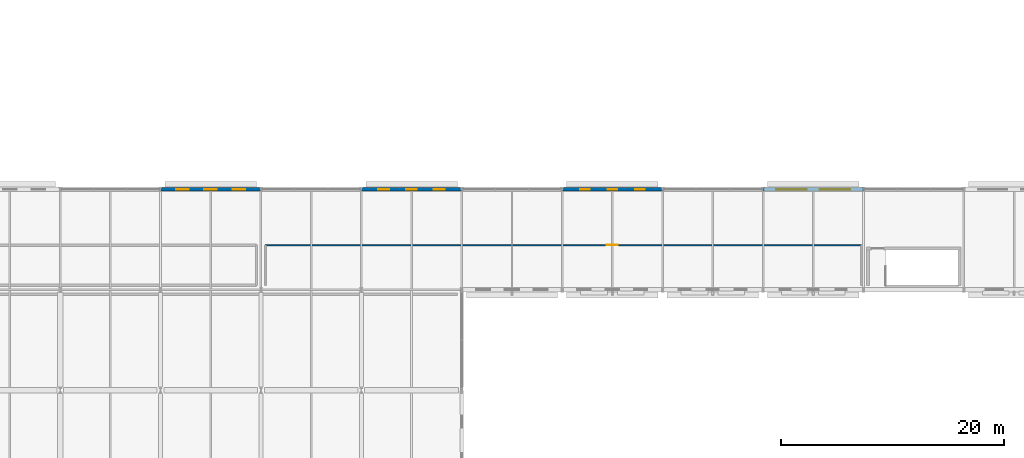
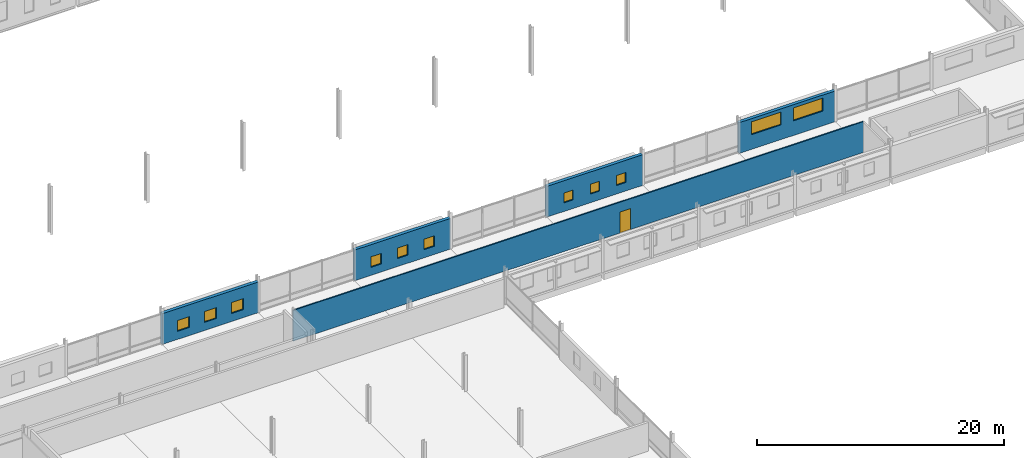
# One storey, part 109 of 132: 11 windows, 5 walls, 1 door, 12 openings.
"""IFC4 building model written with IfcOpenShell, lengths in metres."""

from ifc_helpers import new_model, si_unit, direction, frame, frame_2d, origin, place, context, subcontext, project, spatial, rectangle, extrude, material, layer, layer_set, type_object, element, fill, save


model = new_model("IFC4")

# Units and contexts
model_context = context("Model", 3, precision=1e-05, world=origin(), true_north=direction((0.0, 1.0)))
body_context = subcontext(model_context, "Body", "Model", "MODEL_VIEW")
ifc_project = project(units=[si_unit("LENGTHUNIT", "METRE"), si_unit("AREAUNIT", "SQUARE_METRE"), si_unit("VOLUMEUNIT", "CUBIC_METRE"), si_unit("PLANEANGLEUNIT", "RADIAN"), si_unit("MASSUNIT", "GRAM", prefix="KILO")], contexts=[model_context])

# Site, building, storey
site_placement = place(None, origin())
site = spatial("IfcSite", under=ifc_project, at=site_placement, CompositionType="ELEMENT")
building_placement = place(site_placement, origin())
building = spatial("IfcBuilding", under=site, at=building_placement, Name="Tharagai Park Tramway Depot", CompositionType="ELEMENT")
storey_placement = place(building_placement, frame((0.0, 0.0, 4.800048828125)))
storey = spatial("IfcBuildingStorey", under=building, at=storey_placement, Name="L01", CompositionType="ELEMENT", Elevation=4.800048828125)

# Wall, openings, windows
ifc_material_1 = material(Name="Pressed clay brick", Category="masonry")
ifc_layer_1 = layer(ifc_material_1, 0.300048828125)
ifc_layer_set_1 = layer_set([ifc_layer_1], Name="Pressed clay brick")
wall_type_1 = type_object("IfcWallType", Name="EW-08", PredefinedType="SOLIDWALL", material=ifc_layer_set_1)
wall_1_placement = place(storey_placement, frame((63.00390625, 99.0, 0.0), z_axis=(0.0, 0.0, 1.0), x_axis=(1.0, 0.0, 0.0)))
wall_1 = element("IfcWall", 1, at=wall_1_placement, inside=storey, type_object=wall_type_1, Name="L01 V1 Exterior Masonry Wall EW-08", PredefinedType="SOLIDWALL", context=body_context, shape_type="SweptSolid", body=[
    extrude(rectangle(XDim=8.9921875, YDim=0.300048828125, at=frame_2d((4.49609375, 0.0))), origin(), (0.0, 0.0, 1.0), 3.0419921875),
])
opening_1_placement = place(wall_1_placement, frame((1.407958984375, 0.0, 0.800048828125)))
opening_1 = element("IfcOpeningElement", 2, at=opening_1_placement, cuts=wall_1, Name="Opening WN-24", PredefinedType="OPENING", context=body_context, shape_type="SweptSolid", body=[
    extrude(rectangle(XDim=1.1201171875, YDim=1.080078125, at=frame_2d((0.56005859375, 0.5400390625))), frame((0.0, 0.159912109375, 0.0), z_axis=(0.0, -1.0, 0.0), x_axis=(1.0, 0.0, 0.0)), (0.0, 0.0, 1.0), 0.320068359375),
])
opening_2_placement = place(wall_1_placement, frame((3.93603515625, 0.0, 0.800048828125)))
opening_2 = element("IfcOpeningElement", 3, at=opening_2_placement, cuts=wall_1, Name="Opening WN-24", PredefinedType="OPENING", context=body_context, shape_type="SweptSolid", body=[
    extrude(rectangle(XDim=1.1201171875, YDim=1.080078125, at=frame_2d((0.56005859375, 0.5400390625))), frame((0.0, 0.159912109375, 0.0), z_axis=(0.0, -1.0, 0.0), x_axis=(1.0, 0.0, 0.0)), (0.0, 0.0, 1.0), 0.320068359375),
])
opening_3_placement = place(wall_1_placement, frame((6.464111328125, 0.0, 0.800048828125)))
opening_3 = element("IfcOpeningElement", 4, at=opening_3_placement, cuts=wall_1, Name="Opening WN-24", PredefinedType="OPENING", context=body_context, shape_type="SweptSolid", body=[
    extrude(rectangle(XDim=1.1201171875, YDim=1.080078125, at=frame_2d((0.56005859375, 0.5400390625))), frame((0.0, 0.159912109375, 0.0), z_axis=(0.0, -1.0, 0.0), x_axis=(1.0, 0.0, 0.0)), (0.0, 0.0, 1.0), 0.320068359375),
])
ifc_material_2 = material(Name="Laminated solar-control glass", Category="glass")
window_type_1 = type_object("IfcWindowType", Name="WN-24", PartitioningType="SINGLE_PANEL", PredefinedType="WINDOW", material=ifc_material_2)
window_1_placement = place(opening_1_placement, origin())
window_1 = element("IfcWindow", 5, at=window_1_placement, inside=storey, type_object=window_type_1, Name="L01 V1 Gothic Lancet Window WN-24", OverallHeight=1.080078125, OverallWidth=1.1201171875, PartitioningType="SINGLE_PANEL", PredefinedType="WINDOW", context=body_context, shape_type="SweptSolid", body=[
    extrude(rectangle(XDim=1.1201171875, YDim=1.080078125, at=frame_2d((0.56005859375, 0.5400390625))), frame((0.0, 0.030029296875, 0.0), z_axis=(0.0, -1.0, 0.0), x_axis=(1.0, 0.0, 0.0)), (0.0, 0.0, 1.0), 0.06005859375),
])
fill(opening_1, window_1)
window_2_placement = place(opening_2_placement, origin())
window_2 = element("IfcWindow", 6, at=window_2_placement, inside=storey, type_object=window_type_1, Name="L01 V1 Gothic Lancet Window WN-24", OverallHeight=1.080078125, OverallWidth=1.1201171875, PartitioningType="SINGLE_PANEL", PredefinedType="WINDOW", context=body_context, shape_type="SweptSolid", body=[
    extrude(rectangle(XDim=1.1201171875, YDim=1.080078125, at=frame_2d((0.56005859375, 0.5400390625))), frame((0.0, 0.030029296875, 0.0), z_axis=(0.0, -1.0, 0.0), x_axis=(1.0, 0.0, 0.0)), (0.0, 0.0, 1.0), 0.06005859375),
])
fill(opening_2, window_2)
window_3_placement = place(opening_3_placement, origin())
window_3 = element("IfcWindow", 7, at=window_3_placement, inside=storey, type_object=window_type_1, Name="L01 V1 Gothic Lancet Window WN-24", OverallHeight=1.080078125, OverallWidth=1.1201171875, PartitioningType="SINGLE_PANEL", PredefinedType="WINDOW", context=body_context, shape_type="SweptSolid", body=[
    extrude(rectangle(XDim=1.1201171875, YDim=1.080078125, at=frame_2d((0.56005859375, 0.5400390625))), frame((0.0, 0.030029296875, 0.0), z_axis=(0.0, -1.0, 0.0), x_axis=(1.0, 0.0, 0.0)), (0.0, 0.0, 1.0), 0.06005859375),
])
fill(opening_3, window_3)

wall_2_placement = place(storey_placement, frame((81.00390625, 99.0, 0.0), z_axis=(0.0, 0.0, 1.0), x_axis=(1.0, 0.0, 0.0)))
wall_2 = element("IfcWall", 8, at=wall_2_placement, inside=storey, type_object=wall_type_1, Name="L01 V1 Exterior Masonry Wall EW-08", PredefinedType="SOLIDWALL", context=body_context, shape_type="SweptSolid", body=[
    extrude(rectangle(XDim=8.9921875, YDim=0.300048828125, at=frame_2d((4.49609375, 0.0))), origin(), (0.0, 0.0, 1.0), 3.0419921875),
])
opening_4_placement = place(wall_2_placement, frame((1.528076171875, 0.0, 0.800048828125)))
opening_4 = element("IfcOpeningElement", 9, at=opening_4_placement, cuts=wall_2, Name="Opening WN-51", PredefinedType="OPENING", context=body_context, shape_type="SweptSolid", body=[
    extrude(rectangle(XDim=0.9599609375, YDim=1.0400390625, at=frame_2d((0.47998046875, 0.52001953125))), frame((0.0, 0.159912109375, 0.0), z_axis=(0.0, -1.0, 0.0), x_axis=(1.0, 0.0, 0.0)), (0.0, 0.0, 1.0), 0.320068359375),
])
opening_5_placement = place(wall_2_placement, frame((4.01611328125, 0.0, 0.800048828125)))
opening_5 = element("IfcOpeningElement", 10, at=opening_5_placement, cuts=wall_2, Name="Opening WN-51", PredefinedType="OPENING", context=body_context, shape_type="SweptSolid", body=[
    extrude(rectangle(XDim=0.9599609375, YDim=1.0400390625, at=frame_2d((0.47998046875, 0.52001953125))), frame((0.0, 0.159912109375, 0.0), z_axis=(0.0, -1.0, 0.0), x_axis=(1.0, 0.0, 0.0)), (0.0, 0.0, 1.0), 0.320068359375),
])
opening_6_placement = place(wall_2_placement, frame((6.50390625, 0.0, 0.800048828125)))
opening_6 = element("IfcOpeningElement", 11, at=opening_6_placement, cuts=wall_2, Name="Opening WN-51", PredefinedType="OPENING", context=body_context, shape_type="SweptSolid", body=[
    extrude(rectangle(XDim=0.9599609375, YDim=1.0400390625, at=frame_2d((0.47998046875, 0.52001953125))), frame((0.0, 0.159912109375, 0.0), z_axis=(0.0, -1.0, 0.0), x_axis=(1.0, 0.0, 0.0)), (0.0, 0.0, 1.0), 0.320068359375),
])
window_type_2 = type_object("IfcWindowType", Name="WN-51", PartitioningType="SINGLE_PANEL", PredefinedType="WINDOW", material=ifc_material_2)
window_4_placement = place(opening_4_placement, origin())
window_4 = element("IfcWindow", 12, at=window_4_placement, inside=storey, type_object=window_type_2, Name="L01 V1 Gothic Lancet Window WN-51", OverallHeight=1.0400390625, OverallWidth=0.9599609375, PartitioningType="SINGLE_PANEL", PredefinedType="WINDOW", context=body_context, shape_type="SweptSolid", body=[
    extrude(rectangle(XDim=0.9599609375, YDim=1.0400390625, at=frame_2d((0.47998046875, 0.52001953125))), frame((0.0, 0.030029296875, 0.0), z_axis=(0.0, -1.0, 0.0), x_axis=(1.0, 0.0, 0.0)), (0.0, 0.0, 1.0), 0.06005859375),
])
fill(opening_4, window_4)
window_5_placement = place(opening_5_placement, origin())
window_5 = element("IfcWindow", 13, at=window_5_placement, inside=storey, type_object=window_type_2, Name="L01 V1 Gothic Lancet Window WN-51", OverallHeight=1.0400390625, OverallWidth=0.9599609375, PartitioningType="SINGLE_PANEL", PredefinedType="WINDOW", context=body_context, shape_type="SweptSolid", body=[
    extrude(rectangle(XDim=0.9599609375, YDim=1.0400390625, at=frame_2d((0.47998046875, 0.52001953125))), frame((0.0, 0.030029296875, 0.0), z_axis=(0.0, -1.0, 0.0), x_axis=(1.0, 0.0, 0.0)), (0.0, 0.0, 1.0), 0.06005859375),
])
fill(opening_5, window_5)
window_6_placement = place(opening_6_placement, origin())
window_6 = element("IfcWindow", 14, at=window_6_placement, inside=storey, type_object=window_type_2, Name="L01 V1 Gothic Lancet Window WN-51", OverallHeight=1.0400390625, OverallWidth=0.9599609375, PartitioningType="SINGLE_PANEL", PredefinedType="WINDOW", context=body_context, shape_type="SweptSolid", body=[
    extrude(rectangle(XDim=0.9599609375, YDim=1.0400390625, at=frame_2d((0.47998046875, 0.52001953125))), frame((0.0, 0.030029296875, 0.0), z_axis=(0.0, -1.0, 0.0), x_axis=(1.0, 0.0, 0.0)), (0.0, 0.0, 1.0), 0.06005859375),
])
fill(opening_6, window_6)

wall_3_placement = place(storey_placement, frame((99.00390625, 99.0, 0.0), z_axis=(0.0, 0.0, 1.0), x_axis=(1.0, 0.0, 0.0)))
wall_3 = element("IfcWall", 15, at=wall_3_placement, inside=storey, type_object=wall_type_1, Name="L01 V1 Exterior Masonry Wall EW-08", PredefinedType="SOLIDWALL", context=body_context, shape_type="SweptSolid", body=[
    extrude(rectangle(XDim=8.9921875, YDim=0.300048828125, at=frame_2d((4.49609375, 0.0))), origin(), (0.0, 0.0, 1.0), 3.0419921875),
])
opening_7_placement = place(wall_3_placement, frame((1.60302734375, 0.0, 0.85009765625)))
opening_7 = element("IfcOpeningElement", 16, at=opening_7_placement, cuts=wall_3, Name="Opening WN-06", PredefinedType="OPENING", context=body_context, shape_type="SweptSolid", body=[
    extrude(rectangle(XDim=0.860107421875, YDim=0.97998046875, at=frame_2d((0.43017578125, 0.489990234375))), frame((0.0, 0.159912109375, 0.0), z_axis=(0.0, -1.0, 0.0), x_axis=(1.0, 0.0, 0.0)), (0.0, 0.0, 1.0), 0.320068359375),
])
opening_8_placement = place(wall_3_placement, frame((4.06591796875, 0.0, 0.85009765625)))
opening_8 = element("IfcOpeningElement", 17, at=opening_8_placement, cuts=wall_3, Name="Opening WN-06", PredefinedType="OPENING", context=body_context, shape_type="SweptSolid", body=[
    extrude(rectangle(XDim=0.860107421875, YDim=0.97998046875, at=frame_2d((0.43017578125, 0.489990234375))), frame((0.0, 0.159912109375, 0.0), z_axis=(0.0, -1.0, 0.0), x_axis=(1.0, 0.0, 0.0)), (0.0, 0.0, 1.0), 0.320068359375),
])
opening_9_placement = place(wall_3_placement, frame((6.529052734375, 0.0, 0.85009765625)))
opening_9 = element("IfcOpeningElement", 18, at=opening_9_placement, cuts=wall_3, Name="Opening WN-06", PredefinedType="OPENING", context=body_context, shape_type="SweptSolid", body=[
    extrude(rectangle(XDim=0.860107421875, YDim=0.97998046875, at=frame_2d((0.43017578125, 0.489990234375))), frame((0.0, 0.159912109375, 0.0), z_axis=(0.0, -1.0, 0.0), x_axis=(1.0, 0.0, 0.0)), (0.0, 0.0, 1.0), 0.320068359375),
])
window_type_3 = type_object("IfcWindowType", Name="WN-06", PartitioningType="SINGLE_PANEL", PredefinedType="WINDOW", material=ifc_material_2)
window_7_placement = place(opening_7_placement, origin())
window_7 = element("IfcWindow", 19, at=window_7_placement, inside=storey, type_object=window_type_3, Name="L01 V1 Gothic Lancet Window WN-06", OverallHeight=0.97998046875, OverallWidth=0.860107421875, PartitioningType="SINGLE_PANEL", PredefinedType="WINDOW", context=body_context, shape_type="SweptSolid", body=[
    extrude(rectangle(XDim=0.860107421875, YDim=0.97998046875, at=frame_2d((0.43017578125, 0.489990234375))), frame((0.0, 0.030029296875, 0.0), z_axis=(0.0, -1.0, 0.0), x_axis=(1.0, 0.0, 0.0)), (0.0, 0.0, 1.0), 0.06005859375),
])
fill(opening_7, window_7)
window_8_placement = place(opening_8_placement, origin())
window_8 = element("IfcWindow", 20, at=window_8_placement, inside=storey, type_object=window_type_3, Name="L01 V1 Gothic Lancet Window WN-06", OverallHeight=0.97998046875, OverallWidth=0.860107421875, PartitioningType="SINGLE_PANEL", PredefinedType="WINDOW", context=body_context, shape_type="SweptSolid", body=[
    extrude(rectangle(XDim=0.860107421875, YDim=0.97998046875, at=frame_2d((0.43017578125, 0.489990234375))), frame((0.0, 0.030029296875, 0.0), z_axis=(0.0, -1.0, 0.0), x_axis=(1.0, 0.0, 0.0)), (0.0, 0.0, 1.0), 0.06005859375),
])
fill(opening_8, window_8)
window_9_placement = place(opening_9_placement, origin())
window_9 = element("IfcWindow", 21, at=window_9_placement, inside=storey, type_object=window_type_3, Name="L01 V1 Gothic Lancet Window WN-06", OverallHeight=0.97998046875, OverallWidth=0.860107421875, PartitioningType="SINGLE_PANEL", PredefinedType="WINDOW", context=body_context, shape_type="SweptSolid", body=[
    extrude(rectangle(XDim=0.860107421875, YDim=0.97998046875, at=frame_2d((0.43017578125, 0.489990234375))), frame((0.0, 0.030029296875, 0.0), z_axis=(0.0, -1.0, 0.0), x_axis=(1.0, 0.0, 0.0)), (0.0, 0.0, 1.0), 0.06005859375),
])
fill(opening_9, window_9)

wall_4_placement = place(storey_placement, frame((117.00390625, 99.0, 0.0), z_axis=(0.0, 0.0, 1.0), x_axis=(1.0, 0.0, 0.0)))
wall_4 = element("IfcWall", 22, at=wall_4_placement, inside=storey, type_object=wall_type_1, Name="L01 V1 Exterior Masonry Wall EW-08", PredefinedType="SOLIDWALL", context=body_context, shape_type="SweptSolid", body=[
    extrude(rectangle(XDim=8.9921875, YDim=0.300048828125, at=frame_2d((4.49609375, 0.0))), origin(), (0.0, 0.0, 1.0), 3.0419921875),
])
opening_10_placement = place(wall_4_placement, frame((1.1640625, 0.0, 1.449951171875)))
opening_10 = element("IfcOpeningElement", 23, at=opening_10_placement, cuts=wall_4, Name="Opening WN-40", PredefinedType="OPENING", context=body_context, shape_type="SweptSolid", body=[
    extrude(rectangle(XDim=2.75, YDim=1.280029296875, at=frame_2d((1.375, 0.64013671875))), frame((0.0, 0.159912109375, 0.0), z_axis=(0.0, -1.0, 0.0), x_axis=(1.0, 0.0, 0.0)), (0.0, 0.0, 1.0), 0.320068359375),
])
opening_11_placement = place(wall_4_placement, frame((5.077880859375, 0.0, 1.449951171875)))
opening_11 = element("IfcOpeningElement", 24, at=opening_11_placement, cuts=wall_4, Name="Opening WN-40", PredefinedType="OPENING", context=body_context, shape_type="SweptSolid", body=[
    extrude(rectangle(XDim=2.75, YDim=1.280029296875, at=frame_2d((1.375, 0.64013671875))), frame((0.0, 0.159912109375, 0.0), z_axis=(0.0, -1.0, 0.0), x_axis=(1.0, 0.0, 0.0)), (0.0, 0.0, 1.0), 0.320068359375),
])
window_type_4 = type_object("IfcWindowType", Name="WN-40", PartitioningType="SINGLE_PANEL", PredefinedType="WINDOW", material=ifc_material_2)
window_10_placement = place(opening_10_placement, origin())
window_10 = element("IfcWindow", 25, at=window_10_placement, inside=storey, type_object=window_type_4, Name="L01 V1 Gothic Lancet Window WN-40", OverallHeight=1.280029296875, OverallWidth=2.75, PartitioningType="SINGLE_PANEL", PredefinedType="WINDOW", context=body_context, shape_type="SweptSolid", body=[
    extrude(rectangle(XDim=2.75, YDim=1.280029296875, at=frame_2d((1.375, 0.64013671875))), frame((0.0, 0.030029296875, 0.0), z_axis=(0.0, -1.0, 0.0), x_axis=(1.0, 0.0, 0.0)), (0.0, 0.0, 1.0), 0.06005859375),
])
fill(opening_10, window_10)
window_11_placement = place(opening_11_placement, origin())
window_11 = element("IfcWindow", 26, at=window_11_placement, inside=storey, type_object=window_type_4, Name="L01 V1 Gothic Lancet Window WN-40", OverallHeight=1.280029296875, OverallWidth=2.75, PartitioningType="SINGLE_PANEL", PredefinedType="WINDOW", context=body_context, shape_type="SweptSolid", body=[
    extrude(rectangle(XDim=2.75, YDim=1.280029296875, at=frame_2d((1.375, 0.64013671875))), frame((0.0, 0.030029296875, 0.0), z_axis=(0.0, -1.0, 0.0), x_axis=(1.0, 0.0, 0.0)), (0.0, 0.0, 1.0), 0.06005859375),
])
fill(opening_11, window_11)

# Wall, opening, door
ifc_material_3 = material(Name="Gypsum board", Category="gypsum")
ifc_layer_2 = layer(ifc_material_3, 0.1201171875)
ifc_layer_set_2 = layer_set([ifc_layer_2], Name="Gypsum board")
wall_type_2 = type_object("IfcWallType", Name="IW-03", PredefinedType="PARTITIONING", material=ifc_layer_set_2)
wall_5_placement = place(storey_placement, frame((72.39990234375, 94.0, 0.0), z_axis=(0.0, 0.0, 1.0), x_axis=(1.0, 0.0, 0.0)))
wall_5 = element("IfcWall", 27, at=wall_5_placement, inside=storey, type_object=wall_type_2, Name="Overhead Catenary Monitoring Gallery East Partition North", PredefinedType="PARTITIONING", context=body_context, shape_type="SweptSolid", body=[
    extrude(rectangle(XDim=53.400146484375, YDim=0.1201171875, at=frame_2d((26.7001953125, 0.0))), origin(), (0.0, 0.0, 1.0), 3.044921875),
])
opening_12_placement = place(wall_5_placement, frame((30.610107421875, 0.0, 0.0)))
opening_12 = element("IfcOpeningElement", 28, at=opening_12_placement, cuts=wall_5, Name="Opening ID-02", PredefinedType="OPENING", context=body_context, shape_type="SweptSolid", body=[
    extrude(rectangle(XDim=0.97998046875, YDim=2.080078125, at=frame_2d((0.489990234375, 1.0400390625))), frame((0.0, 0.070068359375, 0.0), z_axis=(0.0, -1.0, 0.0), x_axis=(1.0, 0.0, 0.0)), (0.0, 0.0, 1.0), 0.14013671875),
])
ifc_material_4 = material(Name="Pressed timber", Category="wood")
door_type = type_object("IfcDoorType", Name="ID-02", OperationType="NOTDEFINED", PredefinedType="DOOR", material=ifc_material_4)
door_placement = place(opening_12_placement, origin())
door = element("IfcDoor", 29, at=door_placement, inside=storey, type_object=door_type, Name="Overhead Catenary Monitoring Gallery East Door", OperationType="SINGLE_SWING_LEFT", OverallHeight=2.080078125, OverallWidth=0.97998046875, PredefinedType="DOOR", context=body_context, shape_type="SweptSolid", body=[
    extrude(rectangle(XDim=0.97998046875, YDim=2.080078125, at=frame_2d((0.489990234375, 1.0400390625))), frame((0.0, 0.02490234375, 0.0), z_axis=(0.0, -1.0, 0.0), x_axis=(1.0, 0.0, 0.0)), (0.0, 0.0, 1.0), 0.050048828125),
])
fill(opening_12, door)

save(model, "model.ifc")
